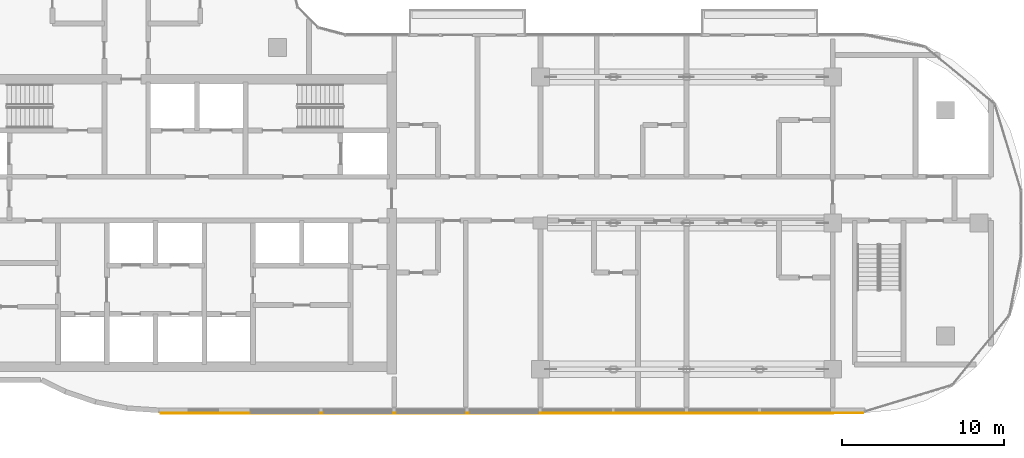
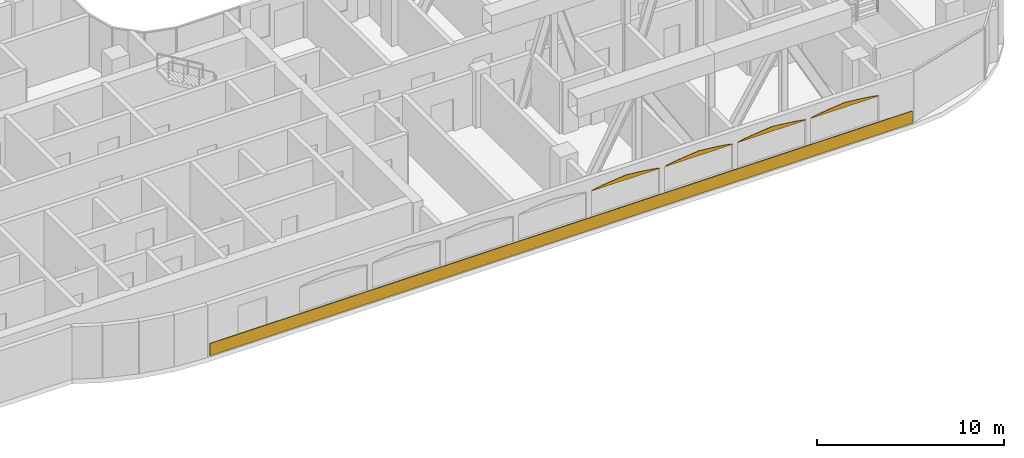
# One storey, part 22 of 25: 5 coverings.
"""IFC4 building model written with IfcOpenShell, lengths in metres."""

import ifcopenshell
import ifcopenshell.guid

model = None  # the IFC model being written
_history = None  # IfcOwnerHistory: only IFC2X3 demands one
_inside = {}  # id of a spatial element -> (the spatial element, [elements in it])
_under = {}  # id of a project, library or spatial element -> (it, [spatial elements below it])
_declared = {}  # id of a project -> (the project, [libraries it declares])
_typed = {}  # id of a type object -> (the type object, [elements of that type])
_made_of = {}  # id of a material, layer set ... -> (it, [elements and type objects made of it])


def new_model(schema):
    """Start an empty IFC model of exactly this schema.

    Asked for "IFC4X3", IfcOpenShell would pick the latest addendum, in which some entities
    have other attributes; the version numbers below select the first issue.
    IFC2X3 requires an IfcOwnerHistory on every rooted entity: one is made here for all.
    """
    global model, _history
    if schema == "IFC4X3":
        model = ifcopenshell.file(schema_version=(4, 3, 0, 0))
    else:
        model = ifcopenshell.file(schema=schema)
    _inside.clear()
    _under.clear()
    _declared.clear()
    _typed.clear()
    _made_of.clear()
    _history = None
    if model.schema == "IFC2X3":
        org = make("IfcOrganization", Name="unknown")
        user = make(
            "IfcPersonAndOrganization",
            ThePerson=make("IfcPerson", FamilyName="unknown"),
            TheOrganization=org,
        )
        app = make(
            "IfcApplication",
            ApplicationDeveloper=org,
            Version="unknown",
            ApplicationFullName="unknown",
            ApplicationIdentifier="unknown",
        )
        _history = make(
            "IfcOwnerHistory",
            OwningUser=user,
            OwningApplication=app,
            ChangeAction="ADDED",
            CreationDate=0,
        )
    return model


def make(cls, **values):
    """One entity of the class cls with the attributes given. An attribute that is None is left unset."""
    return model.create_entity(
        cls, **{name: value for name, value in values.items() if value is not None}
    )


def rooted(cls, **values):
    """An entity with a GlobalId (a new one), such as an element, a storey or a relation."""
    return make(cls, GlobalId=ifcopenshell.guid.new(), OwnerHistory=_history, **values)


def si_unit(unit_type, name, prefix=None):
    """IfcSIUnit, for example si_unit("LENGTHUNIT", "METRE", prefix="MILLI")."""
    return make("IfcSIUnit", UnitType=unit_type, Prefix=prefix, Name=name)


def assignment(units):
    """IfcUnitAssignment: the units of a project."""
    return None if units is None else make("IfcUnitAssignment", Units=units)


def point(xyz):
    """IfcCartesianPoint."""
    return None if xyz is None else make("IfcCartesianPoint", Coordinates=xyz)


def direction(xyz):
    """IfcDirection."""
    return None if xyz is None else make("IfcDirection", DirectionRatios=xyz)


def frame(location, z_axis=None, x_axis=None):
    """IfcAxis2Placement3D, a coordinate frame: its origin and axes. An axis left out is left unset."""
    return make(
        "IfcAxis2Placement3D",
        Location=point(location),
        Axis=direction(z_axis),
        RefDirection=direction(x_axis),
    )


def frame_2d(location, x_axis=None):
    """IfcAxis2Placement2D, a coordinate frame in the plane: its origin and x axis."""
    return make(
        "IfcAxis2Placement2D", Location=point(location), RefDirection=direction(x_axis)
    )


def origin():
    """The frame at (0, 0, 0) with its axes left unset."""
    return frame((0.0, 0.0, 0.0))


def origin_2d():
    """The frame at (0, 0) in the plane with its x axis left unset."""
    return frame_2d((0.0, 0.0))


def place(relative_to, where):
    """IfcLocalPlacement: puts the frame where relative to a parent placement (None: the world)."""
    return make(
        "IfcLocalPlacement", PlacementRelTo=relative_to, RelativePlacement=where
    )


def context(
    kind, dimensions, precision=None, world=None, true_north=None, identifier=None
):
    """IfcGeometricRepresentationContext, for example the 3D "Model" context."""
    return make(
        "IfcGeometricRepresentationContext",
        ContextIdentifier=identifier,
        ContextType=kind,
        CoordinateSpaceDimension=dimensions,
        Precision=precision,
        WorldCoordinateSystem=world,
        TrueNorth=true_north,
    )


def subcontext(parent, identifier, kind, view, scale=None):
    """IfcGeometricRepresentationSubContext, for example "Body" below "Model"."""
    return make(
        "IfcGeometricRepresentationSubContext",
        ContextIdentifier=identifier,
        ContextType=kind,
        ParentContext=parent,
        TargetScale=scale,
        TargetView=view,
    )


def project(units=None, contexts=None):
    """IfcProject with its units and contexts."""
    return rooted(
        "IfcProject",
        Name="project",
        RepresentationContexts=contexts,
        UnitsInContext=assignment(units),
    )


def spatial(cls, under=None, at=None, **own):
    """A site, building, storey or space (cls), placed at a placement, below another one or the project."""
    s = rooted(cls, ObjectPlacement=at, **own)
    if under is not None:
        _under.setdefault(under.id(), (under, []))[1].append(s)
    return s


def polyline(points):
    """IfcPolyline through the points."""
    return make("IfcPolyline", Points=[point(p) for p in points])


def profile(cls, at=None, kind="AREA", **sizes):
    """A parametric profile (cls). Its sizes go by their IFC names, for example OverallWidth=200.0."""
    return make(cls, ProfileType=kind, Position=at, **sizes)


def rectangle(**sizes):
    """IfcRectangleProfileDef."""
    return profile("IfcRectangleProfileDef", **sizes)


def outline(outer, holes=None, kind="AREA"):
    """IfcArbitraryClosedProfileDef: a profile drawn as a closed curve; with holes, ...WithVoids."""
    if holes is None:
        return make("IfcArbitraryClosedProfileDef", ProfileType=kind, OuterCurve=outer)
    return make(
        "IfcArbitraryProfileDefWithVoids",
        ProfileType=kind,
        OuterCurve=outer,
        InnerCurves=holes,
    )


def extrude(swept, where, along, depth):
    """IfcExtrudedAreaSolid: the profile swept, set in the frame where, extruded along a direction by depth."""
    return make(
        "IfcExtrudedAreaSolid",
        SweptArea=swept,
        Position=where,
        ExtrudedDirection=direction(along),
        Depth=depth,
    )


def shape(context_of_items, identifier, shape_type, items):
    """IfcShapeRepresentation: the items that make up one representation, for example the "Body"."""
    return make(
        "IfcShapeRepresentation",
        ContextOfItems=context_of_items,
        RepresentationIdentifier=identifier,
        RepresentationType=shape_type,
        Items=items,
    )


def material(Name=None, Category=None):
    """IfcMaterial."""
    return make("IfcMaterial", Name=Name, Category=Category)


def layer(
    of_material, thickness, ventilated=None, Name=None, Category=None, Priority=None
):
    """IfcMaterialLayer: one layer of a wall or slab, of a material (None: an air gap)."""
    return make(
        "IfcMaterialLayer",
        Material=of_material,
        LayerThickness=thickness,
        IsVentilated=ventilated,
        Name=Name,
        Category=Category,
        Priority=Priority,
    )


def layer_set(layers, Name=None):
    """IfcMaterialLayerSet."""
    return make("IfcMaterialLayerSet", MaterialLayers=layers, LayerSetName=Name)


def made_of(thing, what):
    """Note that an element or type object is made of a material, layer set ...; save() writes the relation."""
    if what is not None:
        _made_of.setdefault(what.id(), (what, []))[1].append(thing)
    return thing


def type_object(cls, material=None, **own):
    """A type object (cls), such as IfcWallType, which elements share."""
    return made_of(rooted(cls, **own), material)


def element(
    cls,
    number,
    at=None,
    inside=None,
    cuts=None,
    type_object=None,
    material=None,
    context=None,
    identifier="Body",
    shape_type=None,
    held_by="IfcProductDefinitionShape",
    body=None,
    shapes=None,
    **own,
):
    """One element of the class cls, such as IfcWall. Its Tag is "e" and its number.

    at: its placement. inside: the storey or other place that contains it. cuts: it is an
    opening in that element (IfcRelVoidsElement). A single representation is given by context,
    identifier, shape_type and body (its items); several are given by shapes. held_by: the class
    of the entity that holds the representations. save() writes the other relations.
    """
    e = rooted(cls, Tag="e%d" % number, ObjectPlacement=at, **own)
    if body is not None:
        shapes = [shape(context, identifier, shape_type, body)]
    if shapes is not None:
        e.Representation = make(held_by, Representations=shapes)
    if inside is not None:
        _inside.setdefault(inside.id(), (inside, []))[1].append(e)
    if cuts is not None:
        rooted(
            "IfcRelVoidsElement", RelatingBuildingElement=cuts, RelatedOpeningElement=e
        )
    if type_object is not None:
        _typed.setdefault(type_object.id(), (type_object, []))[1].append(e)
    return made_of(e, material)


def aggregate(whole, parts):
    """IfcRelAggregates: a whole, such as a stair, and the parts it consists of."""
    return rooted("IfcRelAggregates", RelatingObject=whole, RelatedObjects=parts)


def save(model, path):
    """Write the relations noted so far, then the file.

    IfcRelAggregates (storeys below a building ...), IfcRelContainedInSpatialStructure (elements
    in a storey), IfcRelDefinesByType, IfcRelAssociatesMaterial and IfcRelDeclares: one each for
    every whole, place, type object, material and project.
    """
    for whole, parts in _under.values():
        aggregate(whole, parts)
    for where, things in _inside.values():
        rooted(
            "IfcRelContainedInSpatialStructure",
            RelatedElements=things,
            RelatingStructure=where,
        )
    for kind, things in _typed.values():
        rooted("IfcRelDefinesByType", RelatedObjects=things, RelatingType=kind)
    for what, things in _made_of.values():
        rooted("IfcRelAssociatesMaterial", RelatedObjects=things, RelatingMaterial=what)
    for by, libraries in _declared.values():
        rooted("IfcRelDeclares", RelatingContext=by, RelatedDefinitions=libraries)
    model.write(path)


model = new_model("IFC4")

# Units and contexts
model_context = context("Model", 3, precision=1e-05, world=origin(), true_north=direction((0.0, 1.0)))
body_context = subcontext(model_context, "Body", "Model", "MODEL_VIEW")
ifc_project = project(units=[si_unit("LENGTHUNIT", "METRE"), si_unit("AREAUNIT", "SQUARE_METRE"), si_unit("VOLUMEUNIT", "CUBIC_METRE"), si_unit("PLANEANGLEUNIT", "RADIAN"), si_unit("MASSUNIT", "GRAM", prefix="KILO")], contexts=[model_context])

# Site, building, storey
site_placement = place(None, origin())
site = spatial("IfcSite", under=ifc_project, at=site_placement, CompositionType="ELEMENT")
building_placement = place(site_placement, origin())
building = spatial("IfcBuilding", under=site, at=building_placement, Name="Ogive Portal Towers", CompositionType="ELEMENT")
storey_placement = place(building_placement, frame((0.0, 0.0, 182.89990234375)))
storey = spatial("IfcBuildingStorey", under=building, at=storey_placement, Name="L45", CompositionType="ELEMENT", Elevation=182.89990234375)

# Coverings
ifc_material = material(Name="Limestone cladding on lightweight block wall", Category="masonry")
ifc_layer_1 = layer(ifc_material, 0.0400390625)
ifc_layer_set_1 = layer_set([ifc_layer_1], Name="LANCET HEAD STONE")
covering_type_1 = type_object("IfcCoveringType", Name="LANCET HEAD STONE", PredefinedType="CLADDING", material=ifc_layer_set_1)
for number, where, z_axis, x_axis, name in (
    (1, (67.64990234375, 18.820068359375, 2.60009765625), (0.0, 0.999947689108, 0.01022834526), (1.0, 0.0, 0.0), "Lancet head"),
    (2, (72.14990234375, 18.820068359375, 2.60009765625), (0.0, 0.999947689108, 0.01022834526), (1.0, 0.0, 0.0), "Lancet head"),
    (3, (76.64990234375, 18.820068359375, 2.60009765625), (0.0, 0.999947689108, 0.01022834526), (1.0, 0.0, 0.0), "Lancet head"),
    (4, (81.14990234375, 18.820068359375, 2.60009765625), (0.0, 0.999947689108, 0.01022834526), (1.0, 0.0, 0.0), "Lancet head"),
):
    element("IfcCovering", number, at=place(storey_placement, frame(where, z_axis=z_axis, x_axis=x_axis)), inside=storey, type_object=covering_type_1, Name=name, PredefinedType="CLADDING", context=body_context, shape_type="SweptSolid", body=[
        extrude(outline(polyline([(0.0, 0.0), (4.2001953125, 0.0), (4.107177734375, -0.03760068379228868), (3.9375, -0.07495474257618673), (3.7177734375, -0.11255542636847542), (3.45751953125, -0.14990948515237346), (3.162353515625, -0.18751016894466213), (2.836181640625, -0.2251083555823464), (2.481201171875, -0.2624649115208489), (2.10009765625, -0.30006559531313753), (1.718994140625, -0.2624649115208489), (1.364013671875, -0.2251083555823464), (1.037841796875, -0.18751016894466213), (0.74267578125, -0.14990948515237346), (0.482421875, -0.11255542636847542), (0.2626953125, -0.07495474257618673), (0.093017578125, -0.03760068379228868), (0.0, 0.0)])), origin(), (0.0, 0.0, -1.0), 0.0400390625),
    ])
ifc_layer_2 = layer(ifc_material, 0.050048828125)
ifc_layer_set_2 = layer_set([ifc_layer_2], Name="SCREEN PERFORATED STONE")
covering_type_2 = type_object("IfcCoveringType", Name="SCREEN PERFORATED STONE", PredefinedType="CLADDING", material=ifc_layer_set_2)
covering_placement = place(storey_placement, frame((65.7490234375, 18.794921875, 0.10009765625), z_axis=(0.0, 0.0, 1.0), x_axis=(1.0, 0.0, 0.0)))
element("IfcCovering", 5, at=covering_placement, inside=storey, type_object=covering_type_2, Name="Tracery screen", PredefinedType="CLADDING", context=body_context, shape_type="SweptSolid", body=[
    extrude(rectangle(XDim=43.2783203125, YDim=0.050048828125, at=origin_2d()), origin(), (0.0, 0.0, 1.0), 0.800048828125),
])

save(model, "model.ifc")
